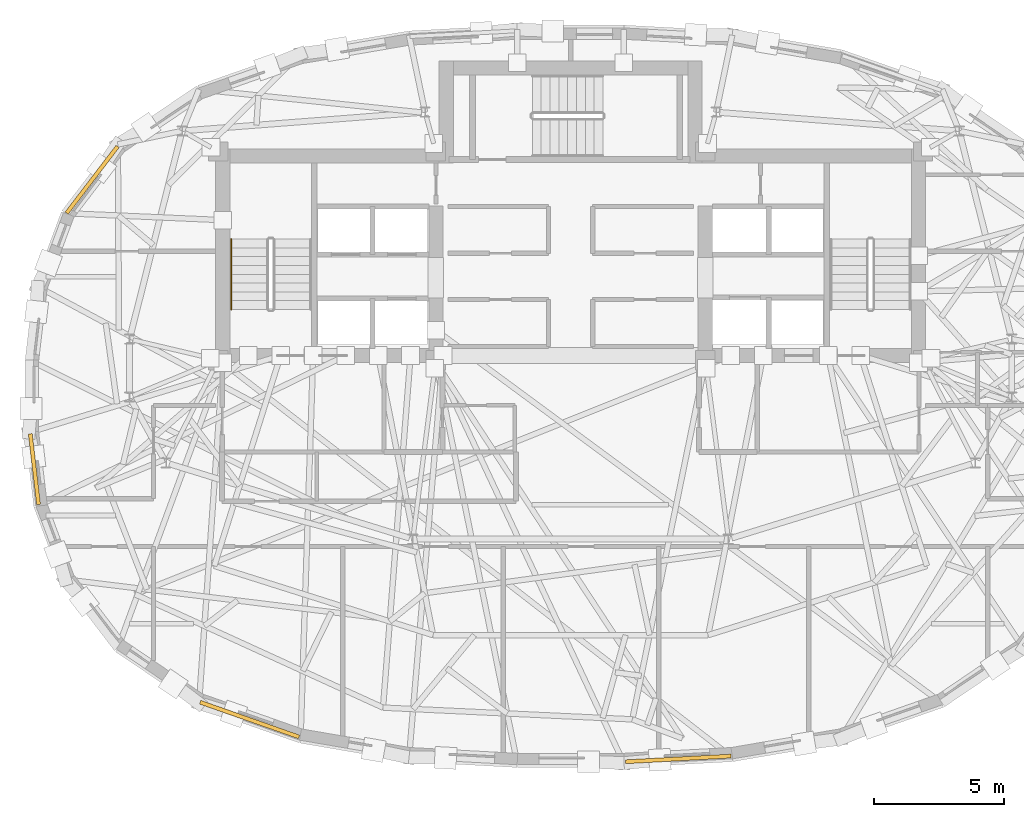
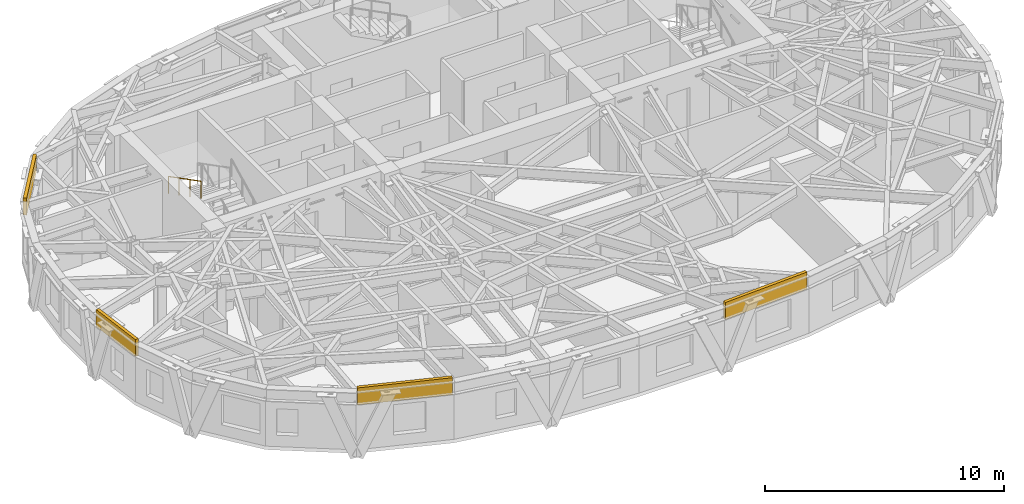
# One storey, part 10 of 12: 4 coverings, 1 railing.
"""IFC4 building model written with IfcOpenShell, lengths in metres."""

import ifcopenshell
import ifcopenshell.guid

model = None  # the IFC model being written
_history = None  # IfcOwnerHistory: only IFC2X3 demands one
_inside = {}  # id of a spatial element -> (the spatial element, [elements in it])
_under = {}  # id of a project, library or spatial element -> (it, [spatial elements below it])
_declared = {}  # id of a project -> (the project, [libraries it declares])
_typed = {}  # id of a type object -> (the type object, [elements of that type])
_made_of = {}  # id of a material, layer set ... -> (it, [elements and type objects made of it])


def new_model(schema):
    """Start an empty IFC model of exactly this schema.

    Asked for "IFC4X3", IfcOpenShell would pick the latest addendum, in which some entities
    have other attributes; the version numbers below select the first issue.
    IFC2X3 requires an IfcOwnerHistory on every rooted entity: one is made here for all.
    """
    global model, _history
    if schema == "IFC4X3":
        model = ifcopenshell.file(schema_version=(4, 3, 0, 0))
    else:
        model = ifcopenshell.file(schema=schema)
    _inside.clear()
    _under.clear()
    _declared.clear()
    _typed.clear()
    _made_of.clear()
    _history = None
    if model.schema == "IFC2X3":
        org = make("IfcOrganization", Name="unknown")
        user = make(
            "IfcPersonAndOrganization",
            ThePerson=make("IfcPerson", FamilyName="unknown"),
            TheOrganization=org,
        )
        app = make(
            "IfcApplication",
            ApplicationDeveloper=org,
            Version="unknown",
            ApplicationFullName="unknown",
            ApplicationIdentifier="unknown",
        )
        _history = make(
            "IfcOwnerHistory",
            OwningUser=user,
            OwningApplication=app,
            ChangeAction="ADDED",
            CreationDate=0,
        )
    return model


def make(cls, **values):
    """One entity of the class cls with the attributes given. An attribute that is None is left unset."""
    return model.create_entity(
        cls, **{name: value for name, value in values.items() if value is not None}
    )


def rooted(cls, **values):
    """An entity with a GlobalId (a new one), such as an element, a storey or a relation."""
    return make(cls, GlobalId=ifcopenshell.guid.new(), OwnerHistory=_history, **values)


def si_unit(unit_type, name, prefix=None):
    """IfcSIUnit, for example si_unit("LENGTHUNIT", "METRE", prefix="MILLI")."""
    return make("IfcSIUnit", UnitType=unit_type, Prefix=prefix, Name=name)


def assignment(units):
    """IfcUnitAssignment: the units of a project."""
    return None if units is None else make("IfcUnitAssignment", Units=units)


def point(xyz):
    """IfcCartesianPoint."""
    return None if xyz is None else make("IfcCartesianPoint", Coordinates=xyz)


def direction(xyz):
    """IfcDirection."""
    return None if xyz is None else make("IfcDirection", DirectionRatios=xyz)


def frame(location, z_axis=None, x_axis=None):
    """IfcAxis2Placement3D, a coordinate frame: its origin and axes. An axis left out is left unset."""
    return make(
        "IfcAxis2Placement3D",
        Location=point(location),
        Axis=direction(z_axis),
        RefDirection=direction(x_axis),
    )


def frame_2d(location, x_axis=None):
    """IfcAxis2Placement2D, a coordinate frame in the plane: its origin and x axis."""
    return make(
        "IfcAxis2Placement2D", Location=point(location), RefDirection=direction(x_axis)
    )


def origin():
    """The frame at (0, 0, 0) with its axes left unset."""
    return frame((0.0, 0.0, 0.0))


def origin_2d():
    """The frame at (0, 0) in the plane with its x axis left unset."""
    return frame_2d((0.0, 0.0))


def place(relative_to, where):
    """IfcLocalPlacement: puts the frame where relative to a parent placement (None: the world)."""
    return make(
        "IfcLocalPlacement", PlacementRelTo=relative_to, RelativePlacement=where
    )


def context(
    kind, dimensions, precision=None, world=None, true_north=None, identifier=None
):
    """IfcGeometricRepresentationContext, for example the 3D "Model" context."""
    return make(
        "IfcGeometricRepresentationContext",
        ContextIdentifier=identifier,
        ContextType=kind,
        CoordinateSpaceDimension=dimensions,
        Precision=precision,
        WorldCoordinateSystem=world,
        TrueNorth=true_north,
    )


def subcontext(parent, identifier, kind, view, scale=None):
    """IfcGeometricRepresentationSubContext, for example "Body" below "Model"."""
    return make(
        "IfcGeometricRepresentationSubContext",
        ContextIdentifier=identifier,
        ContextType=kind,
        ParentContext=parent,
        TargetScale=scale,
        TargetView=view,
    )


def project(units=None, contexts=None):
    """IfcProject with its units and contexts."""
    return rooted(
        "IfcProject",
        Name="project",
        RepresentationContexts=contexts,
        UnitsInContext=assignment(units),
    )


def spatial(cls, under=None, at=None, **own):
    """A site, building, storey or space (cls), placed at a placement, below another one or the project."""
    s = rooted(cls, ObjectPlacement=at, **own)
    if under is not None:
        _under.setdefault(under.id(), (under, []))[1].append(s)
    return s


def profile(cls, at=None, kind="AREA", **sizes):
    """A parametric profile (cls). Its sizes go by their IFC names, for example OverallWidth=200.0."""
    return make(cls, ProfileType=kind, Position=at, **sizes)


def rectangle(**sizes):
    """IfcRectangleProfileDef."""
    return profile("IfcRectangleProfileDef", **sizes)


def circle(**sizes):
    """IfcCircleProfileDef."""
    return profile("IfcCircleProfileDef", **sizes)


def extrude(swept, where, along, depth):
    """IfcExtrudedAreaSolid: the profile swept, set in the frame where, extruded along a direction by depth."""
    return make(
        "IfcExtrudedAreaSolid",
        SweptArea=swept,
        Position=where,
        ExtrudedDirection=direction(along),
        Depth=depth,
    )


def shape(context_of_items, identifier, shape_type, items):
    """IfcShapeRepresentation: the items that make up one representation, for example the "Body"."""
    return make(
        "IfcShapeRepresentation",
        ContextOfItems=context_of_items,
        RepresentationIdentifier=identifier,
        RepresentationType=shape_type,
        Items=items,
    )


def material(Name=None, Category=None):
    """IfcMaterial."""
    return make("IfcMaterial", Name=Name, Category=Category)


def layer(
    of_material, thickness, ventilated=None, Name=None, Category=None, Priority=None
):
    """IfcMaterialLayer: one layer of a wall or slab, of a material (None: an air gap)."""
    return make(
        "IfcMaterialLayer",
        Material=of_material,
        LayerThickness=thickness,
        IsVentilated=ventilated,
        Name=Name,
        Category=Category,
        Priority=Priority,
    )


def layer_set(layers, Name=None):
    """IfcMaterialLayerSet."""
    return make("IfcMaterialLayerSet", MaterialLayers=layers, LayerSetName=Name)


def made_of(thing, what):
    """Note that an element or type object is made of a material, layer set ...; save() writes the relation."""
    if what is not None:
        _made_of.setdefault(what.id(), (what, []))[1].append(thing)
    return thing


def type_object(cls, material=None, **own):
    """A type object (cls), such as IfcWallType, which elements share."""
    return made_of(rooted(cls, **own), material)


def element(
    cls,
    number,
    at=None,
    inside=None,
    cuts=None,
    type_object=None,
    material=None,
    context=None,
    identifier="Body",
    shape_type=None,
    held_by="IfcProductDefinitionShape",
    body=None,
    shapes=None,
    **own,
):
    """One element of the class cls, such as IfcWall. Its Tag is "e" and its number.

    at: its placement. inside: the storey or other place that contains it. cuts: it is an
    opening in that element (IfcRelVoidsElement). A single representation is given by context,
    identifier, shape_type and body (its items); several are given by shapes. held_by: the class
    of the entity that holds the representations. save() writes the other relations.
    """
    e = rooted(cls, Tag="e%d" % number, ObjectPlacement=at, **own)
    if body is not None:
        shapes = [shape(context, identifier, shape_type, body)]
    if shapes is not None:
        e.Representation = make(held_by, Representations=shapes)
    if inside is not None:
        _inside.setdefault(inside.id(), (inside, []))[1].append(e)
    if cuts is not None:
        rooted(
            "IfcRelVoidsElement", RelatingBuildingElement=cuts, RelatedOpeningElement=e
        )
    if type_object is not None:
        _typed.setdefault(type_object.id(), (type_object, []))[1].append(e)
    return made_of(e, material)


def aggregate(whole, parts):
    """IfcRelAggregates: a whole, such as a stair, and the parts it consists of."""
    return rooted("IfcRelAggregates", RelatingObject=whole, RelatedObjects=parts)


def save(model, path):
    """Write the relations noted so far, then the file.

    IfcRelAggregates (storeys below a building ...), IfcRelContainedInSpatialStructure (elements
    in a storey), IfcRelDefinesByType, IfcRelAssociatesMaterial and IfcRelDeclares: one each for
    every whole, place, type object, material and project.
    """
    for whole, parts in _under.values():
        aggregate(whole, parts)
    for where, things in _inside.values():
        rooted(
            "IfcRelContainedInSpatialStructure",
            RelatedElements=things,
            RelatingStructure=where,
        )
    for kind, things in _typed.values():
        rooted("IfcRelDefinesByType", RelatedObjects=things, RelatingType=kind)
    for what, things in _made_of.values():
        rooted("IfcRelAssociatesMaterial", RelatedObjects=things, RelatingMaterial=what)
    for by, libraries in _declared.values():
        rooted("IfcRelDeclares", RelatingContext=by, RelatedDefinitions=libraries)
    model.write(path)


model = new_model("IFC4")

# Units and contexts
model_context = context("Model", 3, precision=1e-05, world=origin(), true_north=direction((0.0, 1.0)))
body_context = subcontext(model_context, "Body", "Model", "MODEL_VIEW")
ifc_project = project(units=[si_unit("LENGTHUNIT", "METRE"), si_unit("AREAUNIT", "SQUARE_METRE"), si_unit("VOLUMEUNIT", "CUBIC_METRE"), si_unit("PLANEANGLEUNIT", "RADIAN"), si_unit("MASSUNIT", "GRAM", prefix="KILO")], contexts=[model_context])

# Site, building, storey
site_placement = place(None, origin())
site = spatial("IfcSite", under=ifc_project, at=site_placement, CompositionType="ELEMENT")
building_placement = place(site_placement, origin())
building = spatial("IfcBuilding", under=site, at=building_placement, Name="Keldmark Tower", CompositionType="ELEMENT")
storey_placement = place(building_placement, frame((0.0, 0.0, 254.10009765625)))
storey = spatial("IfcBuildingStorey", under=building, at=storey_placement, Name="L72", CompositionType="ELEMENT", Elevation=254.10009765625)

# Coverings
ifc_material_1 = material(Name="Honed Kasota Buff Dolomitic Limestone", Category="masonry")
ifc_layer = layer(ifc_material_1, 0.074951171875)
ifc_layer_set = layer_set([ifc_layer], Name="Honed Kasota Buff Dolomitic Limestone")
covering_type = type_object("IfcCoveringType", Name="Kasota Buff Limestone Spandrel Cladding Band", PredefinedType="CLADDING", material=ifc_layer_set)
covering_1_placement = place(storey_placement, frame((-18.468017578125, 8.35888671875, 2.259765625), z_axis=(0.0, 0.0, 1.0), x_axis=(-0.607237178966, -0.794520615517, 0.0)))
element("IfcCovering", 1, at=covering_1_placement, inside=storey, type_object=covering_type, Name="L72 Kasota Limestone Spandrel Band 13", PredefinedType="CLADDING", context=body_context, shape_type="SweptSolid", body=[
    extrude(rectangle(XDim=3.233642578125, YDim=0.14990234375, at=origin_2d()), origin(), (0.0, 0.0, 1.0), 0.8701171875),
])
covering_2_placement = place(storey_placement, frame((-20.695068359375, -2.8095703125, 2.259765625), z_axis=(0.0, 0.0, 1.0), x_axis=(0.1168440763, -0.993150271527, 0.0)))
element("IfcCovering", 2, at=covering_2_placement, inside=storey, type_object=covering_type, Name="L72 Kasota Limestone Spandrel Band 17", PredefinedType="CLADDING", context=body_context, shape_type="SweptSolid", body=[
    extrude(rectangle(XDim=2.74365234375, YDim=0.14990234375, at=origin_2d()), origin(), (0.0, 0.0, 1.0), 0.8701171875),
])
covering_3_placement = place(storey_placement, frame((-12.39111328125, -12.476806640625, 2.259765625), z_axis=(0.0, 0.0, 1.0), x_axis=(0.943465891334, -0.331469624383, 0.0)))
element("IfcCovering", 3, at=covering_3_placement, inside=storey, type_object=covering_type, Name="L72 Kasota Limestone Spandrel Band 21", PredefinedType="CLADDING", context=body_context, shape_type="SweptSolid", body=[
    extrude(rectangle(XDim=4.04541015625, YDim=0.14990234375, at=origin_2d()), origin(), (0.0, 0.0, 1.0), 0.8701171875),
])
covering_4_placement = place(storey_placement, frame((4.156982421875, -13.995361328125, 2.259765625), z_axis=(0.0, 0.0, 1.0), x_axis=(0.998540443306, 0.054009101843, 0.0)))
element("IfcCovering", 4, at=covering_4_placement, inside=storey, type_object=covering_type, Name="L72 Kasota Limestone Spandrel Band 25", PredefinedType="CLADDING", context=body_context, shape_type="SweptSolid", body=[
    extrude(rectangle(XDim=4.080810546875, YDim=0.14990234375, at=origin_2d()), origin(), (0.0, 0.0, 1.0), 0.8701171875),
])

# Railing
ifc_material_2 = material(Name="Stainless Steel AISI 316L", Category="steel")
railing_type = type_object("IfcRailingType", Name="Stainless Steel Stair Handrail 900 mm", PredefinedType="HANDRAIL", material=ifc_material_2)
railing_placement = place(storey_placement, frame((-13.10009765625, 6.070068359375, 1.75)))
element("IfcRailing", 5, at=railing_placement, inside=storey, type_object=railing_type, Name="L72 ST1 stair handrail 2", PredefinedType="HANDRAIL", context=body_context, shape_type="SweptSolid", body=[
    extrude(circle(Radius=0.02392578125, at=origin_2d()), frame((0.0, 0.0, 0.8759765625), z_axis=(0.0, -0.889146794209, 0.457622091194), x_axis=(1.0, 0.0, 0.0)), (0.0, 0.0, 1.0), 3.05908203125),
    extrude(circle(Radius=0.02099609375, at=origin_2d()), origin(), (0.0, 0.0, 1.0), 0.851806640625),
    extrude(circle(Radius=0.02099609375, at=origin_2d()), frame((0.0, -0.90673828125, 0.466552734375)), (0.0, 0.0, 1.0), 0.851806640625),
    extrude(circle(Radius=0.02099609375, at=origin_2d()), frame((0.0, -1.813232421875, 0.933349609375)), (0.0, 0.0, 1.0), 0.851806640625),
    extrude(circle(Radius=0.02099609375, at=origin_2d()), frame((0.0, -2.719970703125, 1.39990234375)), (0.0, 0.0, 1.0), 0.851806640625),
])

save(model, "model.ifc")
